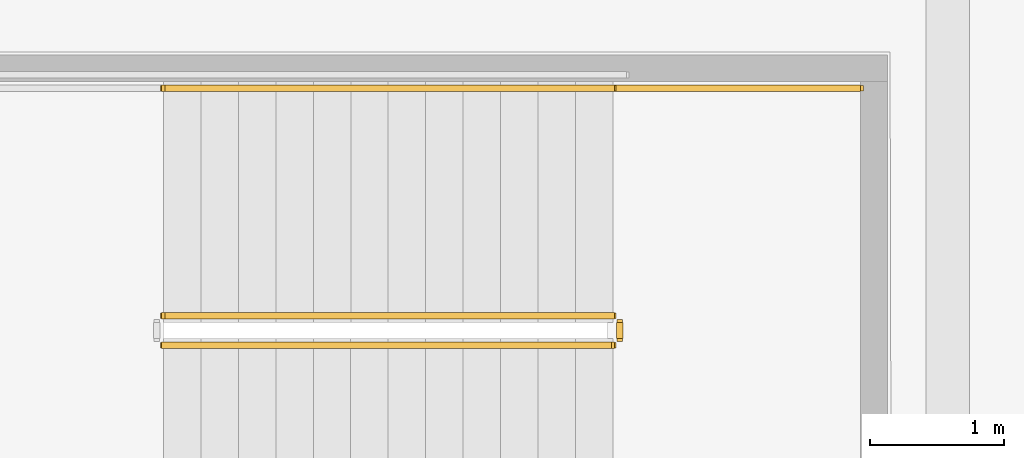
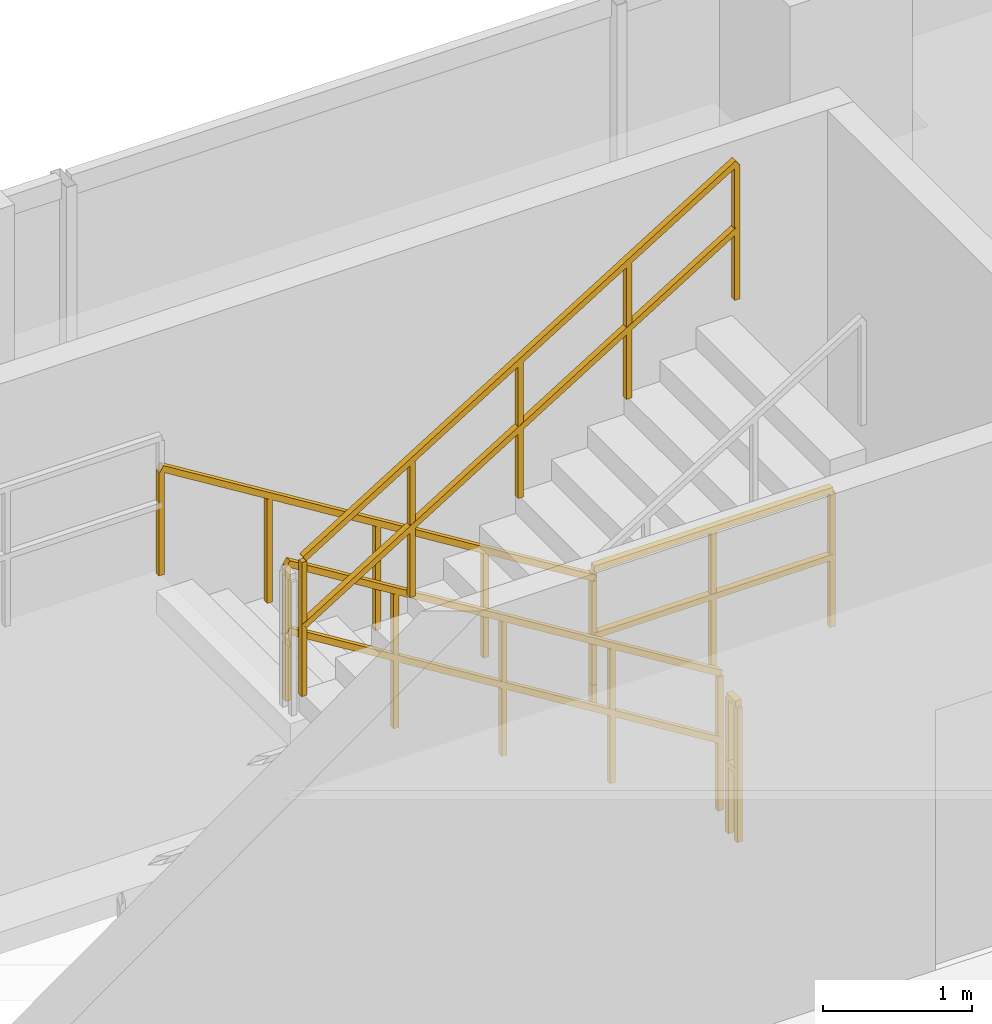
# One storey, part 36 of 36: 5 railings.
"""IFC4 building model written with IfcOpenShell, lengths in metres."""

from ifc_helpers import new_model, si_unit, direction, frame, origin, origin_2d, place, context, subcontext, project, spatial, rectangle, extrude, material, type_object, element, save


model = new_model("IFC4")

# Units and contexts
model_context = context("Model", 3, precision=1e-05, world=origin(), true_north=direction((-0.2419218956, 0.970295726276)))
body_context = subcontext(model_context, "Body", "Model", "MODEL_VIEW")
ifc_project = project(units=[si_unit("LENGTHUNIT", "METRE"), si_unit("AREAUNIT", "SQUARE_METRE"), si_unit("VOLUMEUNIT", "CUBIC_METRE"), si_unit("PLANEANGLEUNIT", "RADIAN"), si_unit("MASSUNIT", "GRAM", prefix="KILO")], contexts=[model_context])

# Site, building, storey
site_placement = place(None, origin())
site = spatial("IfcSite", under=ifc_project, at=site_placement, CompositionType="ELEMENT")
building_placement = place(site_placement, origin())
building = spatial("IfcBuilding", under=site, at=building_placement, Name="Cobrevalo Terracotta Tower", CompositionType="ELEMENT")
storey_placement = place(building_placement, frame((0.0, 0.0, 5.39990234375)))
storey = spatial("IfcBuildingStorey", under=building, at=storey_placement, Name="L01", CompositionType="ELEMENT", Elevation=5.39990234375)

# Railings
ifc_material_1 = material(Name="Brushed stainless steel", Category="steel")
railing_type_1 = type_object("IfcRailingType", Name="Stainless Steel Stair Handrail 900", PredefinedType="HANDRAIL", material=ifc_material_1)
railing_1_placement = place(storey_placement, frame((64.5, 49.469970703125, 0.173095703125)))
element("IfcRailing", 1, at=railing_1_placement, inside=storey, type_object=railing_type_1, Name="L01 ST-P2 stair handrail 1", PredefinedType="HANDRAIL", context=body_context, shape_type="SweptSolid", body=[
    extrude(rectangle(XDim=0.048095703125, YDim=0.048095703125, at=origin_2d()), frame((0.0, 0.0, 0.8759765625), z_axis=(-0.850623216509, 0.0, 0.525775754039), x_axis=(0.0, -1.0, 0.0)), (0.0, 0.0, 1.0), 3.9501953125),
    extrude(rectangle(XDim=0.0419921875, YDim=0.0419921875, at=origin_2d()), origin(), (0.0, 0.0, 1.0), 0.851806640625),
    extrude(rectangle(XDim=0.0419921875, YDim=0.0419921875, at=origin_2d()), frame((-0.840087890625, 0.0, 0.519287109375)), (0.0, 0.0, 1.0), 0.851806640625),
    extrude(rectangle(XDim=0.0419921875, YDim=0.0419921875, at=origin_2d()), frame((-1.68017578125, 0.0, 1.03857421875)), (0.0, 0.0, 1.0), 0.851806640625),
    extrude(rectangle(XDim=0.0419921875, YDim=0.0419921875, at=origin_2d()), frame((-2.52001953125, 0.0, 1.5576171875)), (0.0, 0.0, 1.0), 0.851806640625),
    extrude(rectangle(XDim=0.0419921875, YDim=0.0419921875, at=origin_2d()), frame((-3.360107421875, 0.0, 2.076904296875)), (0.0, 0.0, 1.0), 0.851806640625),
])
ifc_material_2 = material(Name="Painted galvanized steel", Category="steel")
railing_type_2 = type_object("IfcRailingType", Name="Stair Well Guard Balustrade 1150", PredefinedType="GUARDRAIL", material=ifc_material_2)
railing_2_placement = place(storey_placement, frame((64.5, 47.77001953125, 0.173095703125)))
element("IfcRailing", 2, at=railing_2_placement, inside=storey, type_object=railing_type_2, Name="L01 ST-P2 stair guard 1", PredefinedType="GUARDRAIL", context=body_context, shape_type="SweptSolid", body=[
    extrude(rectangle(XDim=0.048095703125, YDim=0.048095703125, at=origin_2d()), frame((0.0, 0.0, 1.1259765625), z_axis=(-0.850623216509, 0.0, 0.525775754039), x_axis=(0.0, -1.0, 0.0)), (0.0, 0.0, 1.0), 3.9501953125),
    extrude(rectangle(XDim=0.048095703125, YDim=0.048095703125, at=origin_2d()), frame((0.0, 0.0, 0.574951171875), z_axis=(-0.850623216509, 0.0, 0.525775754039), x_axis=(0.0, -1.0, 0.0)), (0.0, 0.0, 1.0), 3.9501953125),
    extrude(rectangle(XDim=0.0419921875, YDim=0.0419921875, at=origin_2d()), origin(), (0.0, 0.0, 1.0), 1.101806640625),
    extrude(rectangle(XDim=0.0419921875, YDim=0.0419921875, at=origin_2d()), frame((-0.840087890625, 0.0, 0.519287109375)), (0.0, 0.0, 1.0), 1.101806640625),
    extrude(rectangle(XDim=0.0419921875, YDim=0.0419921875, at=origin_2d()), frame((-1.68017578125, 0.0, 1.03857421875)), (0.0, 0.0, 1.0), 1.101806640625),
    extrude(rectangle(XDim=0.0419921875, YDim=0.0419921875, at=origin_2d()), frame((-2.52001953125, 0.0, 1.5576171875)), (0.0, 0.0, 1.0), 1.101806640625),
    extrude(rectangle(XDim=0.0419921875, YDim=0.0419921875, at=origin_2d()), frame((-3.360107421875, 0.0, 2.076904296875)), (0.0, 0.0, 1.0), 1.101806640625),
])
railing_3_placement = place(storey_placement, frame((61.139892578125, 47.550048828125, 2.423095703125)))
element("IfcRailing", 3, at=railing_3_placement, inside=storey, type_object=railing_type_2, Name="L01 ST-P2 stair guard 6", PredefinedType="GUARDRAIL", context=body_context, shape_type="SweptSolid", body=[
    extrude(rectangle(XDim=0.048095703125, YDim=0.048095703125, at=origin_2d()), frame((0.0, 0.0, 1.1259765625), z_axis=(0.850623216509, 0.0, 0.525775754039), x_axis=(0.0, 1.0, 0.0)), (0.0, 0.0, 1.0), 3.9501953125),
    extrude(rectangle(XDim=0.048095703125, YDim=0.048095703125, at=origin_2d()), frame((0.0, 0.0, 0.574951171875), z_axis=(0.850623216509, 0.0, 0.525775754039), x_axis=(0.0, 1.0, 0.0)), (0.0, 0.0, 1.0), 3.9501953125),
    extrude(rectangle(XDim=0.0419921875, YDim=0.0419921875, at=origin_2d()), origin(), (0.0, 0.0, 1.0), 1.101806640625),
    extrude(rectangle(XDim=0.0419921875, YDim=0.0419921875, at=origin_2d()), frame((0.840087890625, 0.0, 0.519287109375)), (0.0, 0.0, 1.0), 1.101806640625),
    extrude(rectangle(XDim=0.0419921875, YDim=0.0419921875, at=origin_2d()), frame((1.68017578125, 0.0, 1.03857421875)), (0.0, 0.0, 1.0), 1.101806640625),
    extrude(rectangle(XDim=0.0419921875, YDim=0.0419921875, at=origin_2d()), frame((2.52001953125, 0.0, 1.5576171875)), (0.0, 0.0, 1.0), 1.101806640625),
    extrude(rectangle(XDim=0.0419921875, YDim=0.0419921875, at=origin_2d()), frame((3.360107421875, 0.0, 2.076904296875)), (0.0, 0.0, 1.0), 1.101806640625),
])
railing_4_placement = place(storey_placement, frame((64.550048828125, 47.719970703125, 0.0)))
element("IfcRailing", 4, at=railing_4_placement, inside=storey, type_object=railing_type_2, Name="L01 ST-P2 stair guard 7", PredefinedType="GUARDRAIL", context=body_context, shape_type="SweptSolid", body=[
    extrude(rectangle(XDim=0.048095703125, YDim=0.048095703125, at=origin_2d()), frame((0.0, 0.0, 1.1259765625), z_axis=(0.0, -1.0, 0.0), x_axis=(1.0, 0.0, 0.0)), (0.0, 0.0, 1.0), 0.119873046875),
    extrude(rectangle(XDim=0.048095703125, YDim=0.048095703125, at=origin_2d()), frame((0.0, 0.0, 0.574951171875), z_axis=(0.0, -1.0, 0.0), x_axis=(1.0, 0.0, 0.0)), (0.0, 0.0, 1.0), 0.119873046875),
    extrude(rectangle(XDim=0.0419921875, YDim=0.0419921875, at=origin_2d()), origin(), (0.0, 0.0, 1.0), 1.101806640625),
    extrude(rectangle(XDim=0.0419921875, YDim=0.0419921875, at=origin_2d()), frame((0.0, -0.119873046875, 0.0)), (0.0, 0.0, 1.0), 1.101806640625),
])
railing_5_placement = place(storey_placement, frame((66.35009765625, 49.469970703125, 0.0)))
element("IfcRailing", 5, at=railing_5_placement, inside=storey, type_object=railing_type_2, Name="L01 ST-P2 stair guard 8", PredefinedType="GUARDRAIL", context=body_context, shape_type="SweptSolid", body=[
    extrude(rectangle(XDim=0.048095703125, YDim=0.048095703125, at=origin_2d()), frame((0.0, 0.0, 1.1259765625), z_axis=(-1.0, 0.0, 0.0), x_axis=(0.0, -1.0, 0.0)), (0.0, 0.0, 1.0), 1.85009765625),
    extrude(rectangle(XDim=0.048095703125, YDim=0.048095703125, at=origin_2d()), frame((0.0, 0.0, 0.574951171875), z_axis=(-1.0, 0.0, 0.0), x_axis=(0.0, -1.0, 0.0)), (0.0, 0.0, 1.0), 1.85009765625),
    extrude(rectangle(XDim=0.0419921875, YDim=0.0419921875, at=origin_2d()), origin(), (0.0, 0.0, 1.0), 1.101806640625),
    extrude(rectangle(XDim=0.0419921875, YDim=0.0419921875, at=origin_2d()), frame((-0.925048828125, 0.0, 0.0)), (0.0, 0.0, 1.0), 1.101806640625),
    extrude(rectangle(XDim=0.0419921875, YDim=0.0419921875, at=origin_2d()), frame((-1.85009765625, 0.0, 0.0)), (0.0, 0.0, 1.0), 1.101806640625),
])

save(model, "model.ifc")
